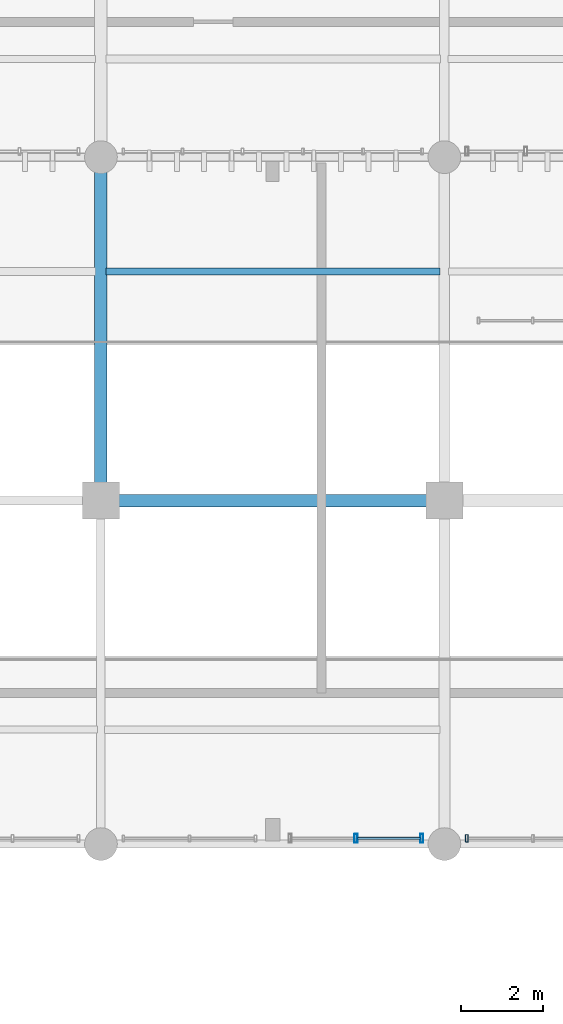
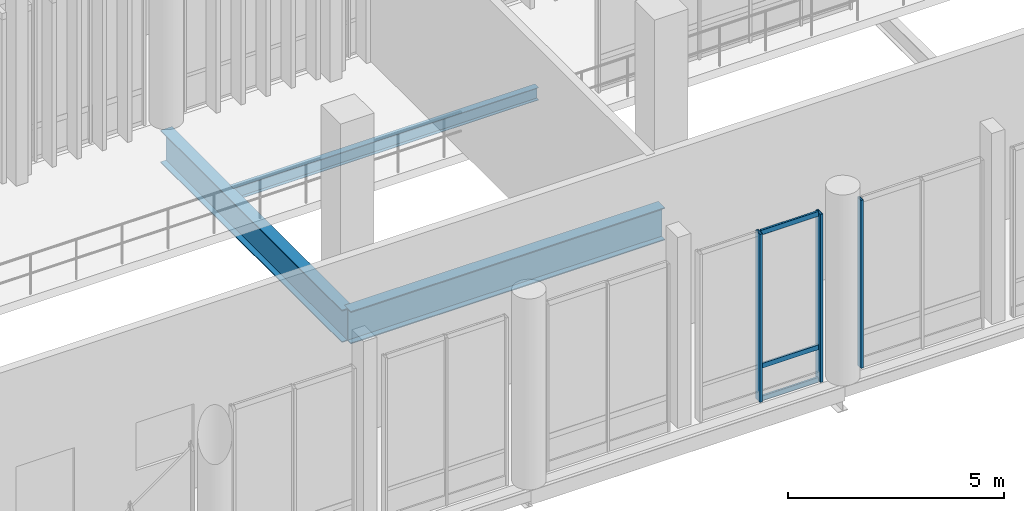
# One storey, part 49 of 128: 6 members, 3 beams, 2 elements without a shape of their own.
"""IFC4 building model written with IfcOpenShell, lengths in metres."""

from ifc_helpers import new_model, si_unit, direction, frame, origin_with_axes, origin_2d_with_axis, place, context, subcontext, project, spatial, hollow_rectangle, i_section, extrude, material, material_profile, profile_set, type_object, element, aggregate, save


model = new_model("IFC4")

# Units and contexts
model_context = context("Model", 3, precision=1e-05, world=origin_with_axes(), true_north=direction((0.0, 1.0)))
body_context = subcontext(model_context, "Body", "Model", "MODEL_VIEW")
ifc_project = project(units=[si_unit("LENGTHUNIT", "METRE"), si_unit("AREAUNIT", "SQUARE_METRE"), si_unit("VOLUMEUNIT", "CUBIC_METRE"), si_unit("PLANEANGLEUNIT", "RADIAN"), si_unit("MASSUNIT", "GRAM", prefix="KILO"), si_unit("THERMODYNAMICTEMPERATUREUNIT", "KELVIN")], contexts=[model_context])

# Site, building, storey
site_placement = place(None, origin_with_axes())
site = spatial("IfcSite", under=ifc_project, at=site_placement, CompositionType="ELEMENT")
building_placement = place(site_placement, origin_with_axes())
building = spatial("IfcBuilding", under=site, at=building_placement, Name="Montbau Bow Law Courts", CompositionType="ELEMENT")
storey_placement = place(building_placement, frame((0.0, 0.0, 5.4), z_axis=(0.0, 0.0, 1.0), x_axis=(1.0, 0.0, 0.0)))
storey = spatial("IfcBuildingStorey", under=building, at=storey_placement, Name="L01", CompositionType="ELEMENT", Elevation=5.4)

# Beams
ifc_material_1 = material(Name="Steel CSA G40.21 Grade 350W (350 MPa)", Category="steel")
ifc_material_profile_1 = material_profile(ifc_material_1, i_section(OverallWidth=0.306, OverallDepth=0.919, WebThickness=0.0173, FlangeThickness=0.0279, at=origin_2d_with_axis()), Name="W920X253", Category="Main", Priority=0)
ifc_profile_set_1 = profile_set([ifc_material_profile_1], Name="Steel CSA G40.21 Grade 350W (350 MPa)")
beam_type_1 = type_object("IfcBeamType", Name="B-FLR-01", PredefinedType="BEAM", material=ifc_profile_set_1)
for number, where, z_axis, x_axis, name in (
    (1, (80.4, 30.6, 4.7), (1.0, 0.0, 0.0), (0.0, 1.0, 0.0), "BM-L01-S1074:bm2_1077"),
    (2, (80.4, 30.6, 4.7), (0.0, 1.0, 0.0), (-1.0, 0.0, 0.0), "BM-L01-S1089:bm2_1092"),
):
    element("IfcBeam", number, at=place(None, frame(where, z_axis=z_axis, x_axis=x_axis)), inside=storey, type_object=beam_type_1, Name=name, PredefinedType="BEAM", context=body_context, shape_type="SweptSolid", body=[
        extrude(i_section(OverallWidth=0.306, OverallDepth=0.919, WebThickness=0.0173, FlangeThickness=0.0279, at=origin_2d_with_axis()), origin_with_axes(), (0.0, 0.0, 1.0), 8.4),
    ])
ifc_material_profile_2 = material_profile(ifc_material_1, i_section(OverallWidth=0.172, OverallDepth=0.358, WebThickness=0.0079, FlangeThickness=0.0131, at=origin_2d_with_axis()), Name="W360X57", Category="Main", Priority=0)
ifc_profile_set_2 = profile_set([ifc_material_profile_2], Name="Steel CSA G40.21 Grade 350W (350 MPa)")
beam_type_2 = type_object("IfcBeamType", Name="B-JST-03", PredefinedType="JOIST", material=ifc_profile_set_2)
beam_placement = place(None, frame((80.529, 36.2, 4.981), z_axis=(1.0, 0.0, 0.0), x_axis=(0.0, 1.0, 0.0)))
element("IfcBeam", 3, at=beam_placement, inside=storey, type_object=beam_type_2, Name="JST-L01-S0554:jst2_0554", PredefinedType="JOIST", context=body_context, shape_type="SweptSolid", body=[
    extrude(i_section(OverallWidth=0.172, OverallDepth=0.358, WebThickness=0.0079, FlangeThickness=0.0131, at=origin_2d_with_axis()), origin_with_axes(), (0.0, 0.0, 1.0), 8.168),
])

# Curtain wall, members
ifc_material_2 = material(Name="Thermally Broken Extruded Aluminium AA 6063-T6", Category="aluminium")
curtain_wall_type_1 = type_object("IfcCurtainWallType", Name="CW-WGC-01", PredefinedType="NOTDEFINED", material=ifc_material_2)
curtain_wall_1_placement = place(None, frame((84.99, 22.34, 5.4), z_axis=(0.0, 0.0, 1.0), x_axis=(1.0, 0.0, 0.0)))
curtain_wall_1 = element("IfcCurtainWall", 4, at=curtain_wall_1_placement, inside=storey, type_object=curtain_wall_type_1, Name="CW-L01-405:cw_0405", PredefinedType="NOTDEFINED")
ifc_material_profile_3 = material_profile(ifc_material_2, hollow_rectangle(XDim=0.075, YDim=0.22, WallThickness=0.005, InnerFilletRadius=0.01, OuterFilletRadius=0.005, at=origin_2d_with_axis()), Name="CWM-220X75", Category="Main", Priority=0)
ifc_profile_set_3 = profile_set([ifc_material_profile_3], Name="Thermally Broken Extruded Aluminium AA 6063-T6")
member_type_1 = type_object("IfcMemberType", Name="M-MUL-01", PredefinedType="MULLION", material=ifc_profile_set_3)
member_1_placement = place(None, frame((86.638, 22.34, 5.4), z_axis=(0.0, 0.0, 1.0), x_axis=(1.0, 0.0, 0.0)))
member_1 = element("IfcMember", 5, at=member_1_placement, type_object=member_type_1, Name="CW-L01-405-M02:cw_0405_M02", PredefinedType="MULLION", context=body_context, shape_type="SweptSolid", body=[
    extrude(hollow_rectangle(XDim=0.075, YDim=0.22, WallThickness=0.005, InnerFilletRadius=0.01, OuterFilletRadius=0.005, at=origin_2d_with_axis()), origin_with_axes(), (0.0, 0.0, 1.0), 4.75),
])
member_2_placement = place(None, frame((88.248, 22.34, 5.4), z_axis=(0.0, 0.0, 1.0), x_axis=(1.0, 0.0, 0.0)))
member_2 = element("IfcMember", 6, at=member_2_placement, type_object=member_type_1, Name="CW-L01-405-M03:cw_0405_M03", PredefinedType="MULLION", context=body_context, shape_type="SweptSolid", body=[
    extrude(hollow_rectangle(XDim=0.075, YDim=0.22, WallThickness=0.005, InnerFilletRadius=0.01, OuterFilletRadius=0.005, at=origin_2d_with_axis()), origin_with_axes(), (0.0, 0.0, 1.0), 4.75),
])

# Curtain wall, member
curtain_wall_type_2 = type_object("IfcCurtainWallType", Name="CW-WGC-02", PredefinedType="NOTDEFINED", material=ifc_material_2)
curtain_wall_2_placement = place(None, frame((89.315, 22.34, 5.4), z_axis=(0.0, 0.0, 1.0), x_axis=(1.0, 0.0, 0.0)))
curtain_wall_2 = element("IfcCurtainWall", 7, at=curtain_wall_2_placement, inside=storey, type_object=curtain_wall_type_2, Name="CW-L01-406:cw_0406", PredefinedType="NOTDEFINED")
ifc_material_profile_4 = material_profile(ifc_material_2, hollow_rectangle(XDim=0.065, YDim=0.18, WallThickness=0.005, InnerFilletRadius=0.01, OuterFilletRadius=0.005, at=origin_2d_with_axis()), Name="CWM-180X65", Category="Main", Priority=0)
ifc_profile_set_4 = profile_set([ifc_material_profile_4], Name="Thermally Broken Extruded Aluminium AA 6063-T6")
member_type_2 = type_object("IfcMemberType", Name="M-MUL-02", PredefinedType="MULLION", material=ifc_profile_set_4)
member_3_placement = place(None, frame((89.348, 22.34, 5.4), z_axis=(0.0, 0.0, 1.0), x_axis=(1.0, 0.0, 0.0)))
member_3 = element("IfcMember", 8, at=member_3_placement, type_object=member_type_2, Name="CW-L01-406-M01:cw_0406_M01", PredefinedType="MULLION", context=body_context, shape_type="SweptSolid", body=[
    extrude(hollow_rectangle(XDim=0.065, YDim=0.18, WallThickness=0.005, InnerFilletRadius=0.01, OuterFilletRadius=0.005, at=origin_2d_with_axis()), origin_with_axes(), (0.0, 0.0, 1.0), 4.75),
])
aggregate(curtain_wall_2, [member_3])

# Member
ifc_material_profile_5 = material_profile(ifc_material_2, hollow_rectangle(XDim=0.055, YDim=0.14, WallThickness=0.004, InnerFilletRadius=0.008, OuterFilletRadius=0.004, at=origin_2d_with_axis()), Name="CWT-140X55", Category="Main", Priority=0)
ifc_profile_set_5 = profile_set([ifc_material_profile_5], Name="Thermally Broken Extruded Aluminium AA 6063-T6")
member_type_3 = type_object("IfcMemberType", Name="M-TRN-02", PredefinedType="USERDEFINED", material=ifc_profile_set_5)
member_4_placement = place(None, frame((86.678, 22.34, 5.428), z_axis=(1.0, 0.0, 0.0), x_axis=(0.0, 1.0, 0.0)))
member_4 = element("IfcMember", 9, at=member_4_placement, type_object=member_type_3, Name="CW-L01-405-T02-1:cw_0405_T02_1", ObjectType="TRANSOM", PredefinedType="USERDEFINED", context=body_context, shape_type="SweptSolid", body=[
    extrude(hollow_rectangle(XDim=0.055, YDim=0.14, WallThickness=0.004, InnerFilletRadius=0.008, OuterFilletRadius=0.004, at=origin_2d_with_axis()), origin_with_axes(), (0.0, 0.0, 1.0), 1.531),
])

member_5_placement = place(None, frame((86.678, 22.34, 6.35), z_axis=(1.0, 0.0, 0.0), x_axis=(0.0, 1.0, 0.0)))
member_5 = element("IfcMember", 10, at=member_5_placement, type_object=member_type_3, Name="CW-L01-405-T02-2:cw_0405_T02_2", ObjectType="TRANSOM", PredefinedType="USERDEFINED", context=body_context, shape_type="SweptSolid", body=[
    extrude(hollow_rectangle(XDim=0.055, YDim=0.14, WallThickness=0.004, InnerFilletRadius=0.008, OuterFilletRadius=0.004, at=origin_2d_with_axis()), origin_with_axes(), (0.0, 0.0, 1.0), 1.531),
])

member_6_placement = place(None, frame((86.678, 22.34, 10.123), z_axis=(1.0, 0.0, 0.0), x_axis=(0.0, 1.0, 0.0)))
member_6 = element("IfcMember", 11, at=member_6_placement, type_object=member_type_3, Name="CW-L01-405-T02-3:cw_0405_T02_3", ObjectType="TRANSOM", PredefinedType="USERDEFINED", context=body_context, shape_type="SweptSolid", body=[
    extrude(hollow_rectangle(XDim=0.055, YDim=0.14, WallThickness=0.004, InnerFilletRadius=0.008, OuterFilletRadius=0.004, at=origin_2d_with_axis()), origin_with_axes(), (0.0, 0.0, 1.0), 1.531),
])

aggregate(curtain_wall_1, [member_1, member_2, member_4, member_5, member_6])

save(model, "model.ifc")
